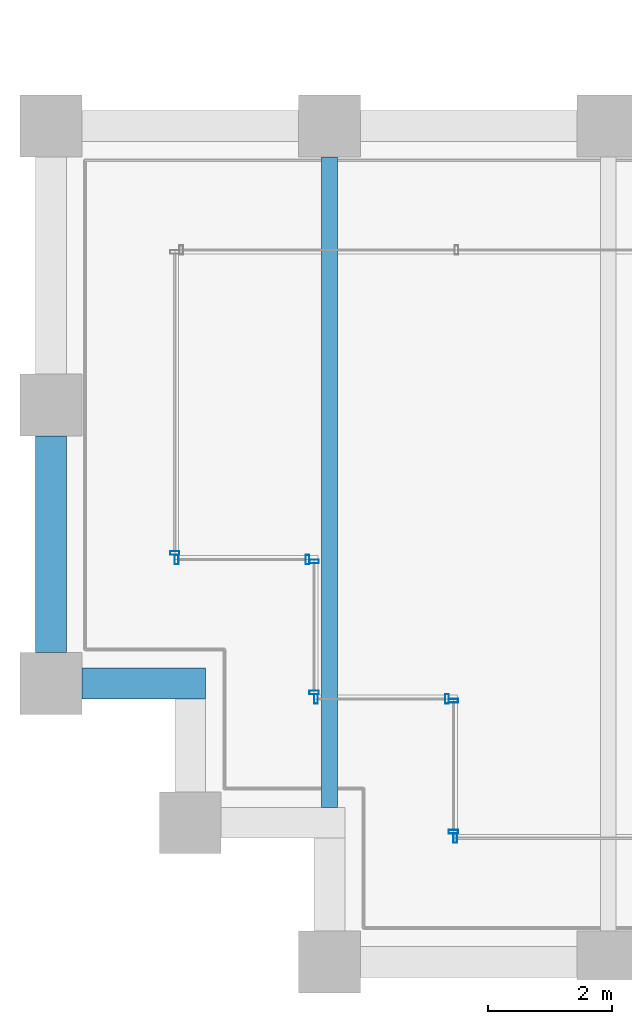
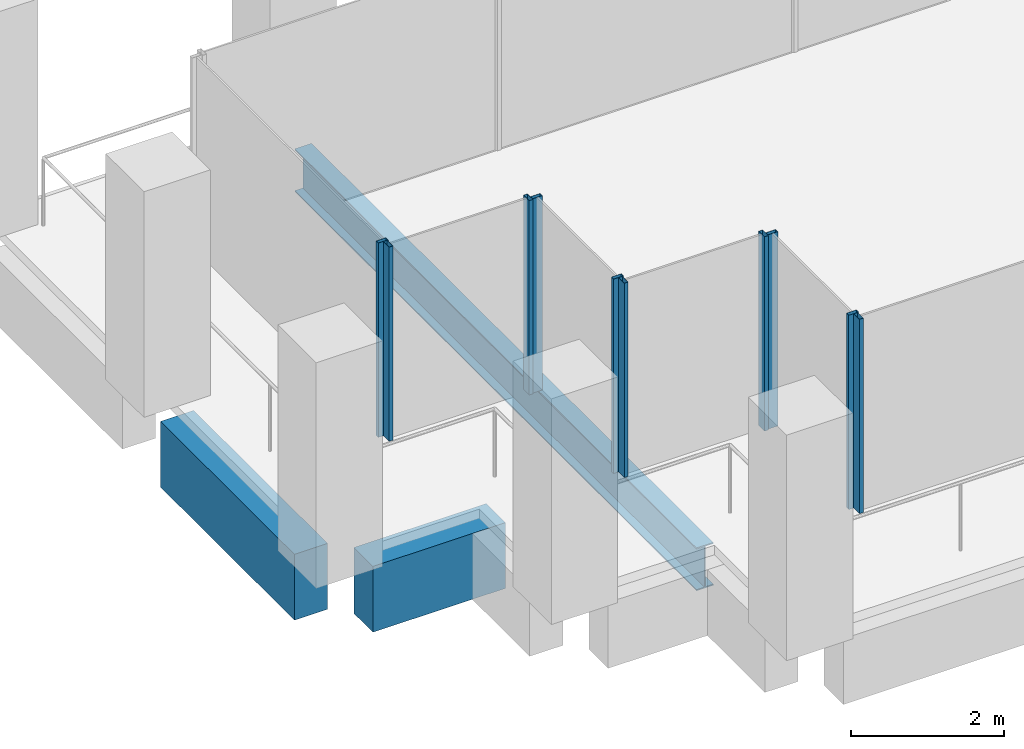
# One storey, part 2 of 46: 10 members, 3 beams, 6 elements without a shape of their own.
"""IFC4 building model written with IfcOpenShell, lengths in metres."""

import ifcopenshell
import ifcopenshell.guid

model = None  # the IFC model being written
_history = None  # IfcOwnerHistory: only IFC2X3 demands one
_inside = {}  # id of a spatial element -> (the spatial element, [elements in it])
_under = {}  # id of a project, library or spatial element -> (it, [spatial elements below it])
_declared = {}  # id of a project -> (the project, [libraries it declares])
_typed = {}  # id of a type object -> (the type object, [elements of that type])
_made_of = {}  # id of a material, layer set ... -> (it, [elements and type objects made of it])


def new_model(schema):
    """Start an empty IFC model of exactly this schema.

    Asked for "IFC4X3", IfcOpenShell would pick the latest addendum, in which some entities
    have other attributes; the version numbers below select the first issue.
    IFC2X3 requires an IfcOwnerHistory on every rooted entity: one is made here for all.
    """
    global model, _history
    if schema == "IFC4X3":
        model = ifcopenshell.file(schema_version=(4, 3, 0, 0))
    else:
        model = ifcopenshell.file(schema=schema)
    _inside.clear()
    _under.clear()
    _declared.clear()
    _typed.clear()
    _made_of.clear()
    _history = None
    if model.schema == "IFC2X3":
        org = make("IfcOrganization", Name="unknown")
        user = make(
            "IfcPersonAndOrganization",
            ThePerson=make("IfcPerson", FamilyName="unknown"),
            TheOrganization=org,
        )
        app = make(
            "IfcApplication",
            ApplicationDeveloper=org,
            Version="unknown",
            ApplicationFullName="unknown",
            ApplicationIdentifier="unknown",
        )
        _history = make(
            "IfcOwnerHistory",
            OwningUser=user,
            OwningApplication=app,
            ChangeAction="ADDED",
            CreationDate=0,
        )
    return model


def make(cls, **values):
    """One entity of the class cls with the attributes given. An attribute that is None is left unset."""
    return model.create_entity(
        cls, **{name: value for name, value in values.items() if value is not None}
    )


def rooted(cls, **values):
    """An entity with a GlobalId (a new one), such as an element, a storey or a relation."""
    return make(cls, GlobalId=ifcopenshell.guid.new(), OwnerHistory=_history, **values)


def si_unit(unit_type, name, prefix=None):
    """IfcSIUnit, for example si_unit("LENGTHUNIT", "METRE", prefix="MILLI")."""
    return make("IfcSIUnit", UnitType=unit_type, Prefix=prefix, Name=name)


def assignment(units):
    """IfcUnitAssignment: the units of a project."""
    return None if units is None else make("IfcUnitAssignment", Units=units)


def point(xyz):
    """IfcCartesianPoint."""
    return None if xyz is None else make("IfcCartesianPoint", Coordinates=xyz)


def direction(xyz):
    """IfcDirection."""
    return None if xyz is None else make("IfcDirection", DirectionRatios=xyz)


def frame(location, z_axis=None, x_axis=None):
    """IfcAxis2Placement3D, a coordinate frame: its origin and axes. An axis left out is left unset."""
    return make(
        "IfcAxis2Placement3D",
        Location=point(location),
        Axis=direction(z_axis),
        RefDirection=direction(x_axis),
    )


def frame_2d(location, x_axis=None):
    """IfcAxis2Placement2D, a coordinate frame in the plane: its origin and x axis."""
    return make(
        "IfcAxis2Placement2D", Location=point(location), RefDirection=direction(x_axis)
    )


def origin():
    """The frame at (0, 0, 0) with its axes left unset."""
    return frame((0.0, 0.0, 0.0))


def origin_2d():
    """The frame at (0, 0) in the plane with its x axis left unset."""
    return frame_2d((0.0, 0.0))


def place(relative_to, where):
    """IfcLocalPlacement: puts the frame where relative to a parent placement (None: the world)."""
    return make(
        "IfcLocalPlacement", PlacementRelTo=relative_to, RelativePlacement=where
    )


def context(
    kind, dimensions, precision=None, world=None, true_north=None, identifier=None
):
    """IfcGeometricRepresentationContext, for example the 3D "Model" context."""
    return make(
        "IfcGeometricRepresentationContext",
        ContextIdentifier=identifier,
        ContextType=kind,
        CoordinateSpaceDimension=dimensions,
        Precision=precision,
        WorldCoordinateSystem=world,
        TrueNorth=true_north,
    )


def subcontext(parent, identifier, kind, view, scale=None):
    """IfcGeometricRepresentationSubContext, for example "Body" below "Model"."""
    return make(
        "IfcGeometricRepresentationSubContext",
        ContextIdentifier=identifier,
        ContextType=kind,
        ParentContext=parent,
        TargetScale=scale,
        TargetView=view,
    )


def project(units=None, contexts=None):
    """IfcProject with its units and contexts."""
    return rooted(
        "IfcProject",
        Name="project",
        RepresentationContexts=contexts,
        UnitsInContext=assignment(units),
    )


def spatial(cls, under=None, at=None, **own):
    """A site, building, storey or space (cls), placed at a placement, below another one or the project."""
    s = rooted(cls, ObjectPlacement=at, **own)
    if under is not None:
        _under.setdefault(under.id(), (under, []))[1].append(s)
    return s


def profile(cls, at=None, kind="AREA", **sizes):
    """A parametric profile (cls). Its sizes go by their IFC names, for example OverallWidth=200.0."""
    return make(cls, ProfileType=kind, Position=at, **sizes)


def rectangle(**sizes):
    """IfcRectangleProfileDef."""
    return profile("IfcRectangleProfileDef", **sizes)


def hollow_rectangle(**sizes):
    """IfcRectangleHollowProfileDef."""
    return profile("IfcRectangleHollowProfileDef", **sizes)


def i_section(**sizes):
    """IfcIShapeProfileDef."""
    return profile("IfcIShapeProfileDef", **sizes)


def extrude(swept, where, along, depth):
    """IfcExtrudedAreaSolid: the profile swept, set in the frame where, extruded along a direction by depth."""
    return make(
        "IfcExtrudedAreaSolid",
        SweptArea=swept,
        Position=where,
        ExtrudedDirection=direction(along),
        Depth=depth,
    )


def shape(context_of_items, identifier, shape_type, items):
    """IfcShapeRepresentation: the items that make up one representation, for example the "Body"."""
    return make(
        "IfcShapeRepresentation",
        ContextOfItems=context_of_items,
        RepresentationIdentifier=identifier,
        RepresentationType=shape_type,
        Items=items,
    )


def material(Name=None, Category=None):
    """IfcMaterial."""
    return make("IfcMaterial", Name=Name, Category=Category)


def material_profile(
    of_material, cross_section, Name=None, Category=None, Priority=None
):
    """IfcMaterialProfile: a cross section and its material."""
    return make(
        "IfcMaterialProfile",
        Name=Name,
        Material=of_material,
        Profile=cross_section,
        Priority=Priority,
        Category=Category,
    )


def profile_set(profiles, Name=None, composite=None):
    """IfcMaterialProfileSet."""
    return make(
        "IfcMaterialProfileSet",
        Name=Name,
        MaterialProfiles=profiles,
        CompositeProfile=composite,
    )


def made_of(thing, what):
    """Note that an element or type object is made of a material, layer set ...; save() writes the relation."""
    if what is not None:
        _made_of.setdefault(what.id(), (what, []))[1].append(thing)
    return thing


def type_object(cls, material=None, **own):
    """A type object (cls), such as IfcWallType, which elements share."""
    return made_of(rooted(cls, **own), material)


def element(
    cls,
    number,
    at=None,
    inside=None,
    cuts=None,
    type_object=None,
    material=None,
    context=None,
    identifier="Body",
    shape_type=None,
    held_by="IfcProductDefinitionShape",
    body=None,
    shapes=None,
    **own,
):
    """One element of the class cls, such as IfcWall. Its Tag is "e" and its number.

    at: its placement. inside: the storey or other place that contains it. cuts: it is an
    opening in that element (IfcRelVoidsElement). A single representation is given by context,
    identifier, shape_type and body (its items); several are given by shapes. held_by: the class
    of the entity that holds the representations. save() writes the other relations.
    """
    e = rooted(cls, Tag="e%d" % number, ObjectPlacement=at, **own)
    if body is not None:
        shapes = [shape(context, identifier, shape_type, body)]
    if shapes is not None:
        e.Representation = make(held_by, Representations=shapes)
    if inside is not None:
        _inside.setdefault(inside.id(), (inside, []))[1].append(e)
    if cuts is not None:
        rooted(
            "IfcRelVoidsElement", RelatingBuildingElement=cuts, RelatedOpeningElement=e
        )
    if type_object is not None:
        _typed.setdefault(type_object.id(), (type_object, []))[1].append(e)
    return made_of(e, material)


def aggregate(whole, parts):
    """IfcRelAggregates: a whole, such as a stair, and the parts it consists of."""
    return rooted("IfcRelAggregates", RelatingObject=whole, RelatedObjects=parts)


def save(model, path):
    """Write the relations noted so far, then the file.

    IfcRelAggregates (storeys below a building ...), IfcRelContainedInSpatialStructure (elements
    in a storey), IfcRelDefinesByType, IfcRelAssociatesMaterial and IfcRelDeclares: one each for
    every whole, place, type object, material and project.
    """
    for whole, parts in _under.values():
        aggregate(whole, parts)
    for where, things in _inside.values():
        rooted(
            "IfcRelContainedInSpatialStructure",
            RelatedElements=things,
            RelatingStructure=where,
        )
    for kind, things in _typed.values():
        rooted("IfcRelDefinesByType", RelatedObjects=things, RelatingType=kind)
    for what, things in _made_of.values():
        rooted("IfcRelAssociatesMaterial", RelatedObjects=things, RelatingMaterial=what)
    for by, libraries in _declared.values():
        rooted("IfcRelDeclares", RelatingContext=by, RelatedDefinitions=libraries)
    model.write(path)


model = new_model("IFC4")

# Units and contexts
model_context = context("Model", 3, precision=1e-05, world=origin(), true_north=direction((0.0, 1.0)))
body_context = subcontext(model_context, "Body", "Model", "MODEL_VIEW")
ifc_project = project(units=[si_unit("LENGTHUNIT", "METRE"), si_unit("AREAUNIT", "SQUARE_METRE"), si_unit("VOLUMEUNIT", "CUBIC_METRE"), si_unit("PLANEANGLEUNIT", "RADIAN"), si_unit("MASSUNIT", "GRAM", prefix="KILO")], contexts=[model_context])

# Site, building, storey
site_placement = place(None, origin())
site = spatial("IfcSite", under=ifc_project, at=site_placement, CompositionType="ELEMENT")
building_placement = place(site_placement, origin())
building = spatial("IfcBuilding", under=site, at=building_placement, Name="Altepetl Exchange Towers", CompositionType="ELEMENT")
storey_placement = place(building_placement, frame((0.0, 0.0, 102.800048828125)))
storey = spatial("IfcBuildingStorey", under=building, at=storey_placement, Name="L25", CompositionType="ELEMENT", Elevation=102.800048828125)

# Beam
ifc_material_1 = material(Name="Steel S355", Category="steel")
ifc_material_profile_1 = material_profile(ifc_material_1, i_section(OverallWidth=0.25390625, OverallDepth=0.68408203125, WebThickness=0.012451171875, FlangeThickness=0.018798828125, at=origin_2d()), Name="W27X94")
ifc_profile_set_1 = profile_set([ifc_material_profile_1], Name="Steel S355")
beam_type_1 = type_object("IfcBeamType", Name="Floor beam W27X94", PredefinedType="BEAM", material=ifc_profile_set_1)
beam_1_placement = place(storey_placement, frame((31.5, 29.5, -0.491943359375), z_axis=(0.0, 1.0, 0.0), x_axis=(-1.0, 0.0, 0.0)))
element("IfcBeam", 1, at=beam_1_placement, inside=storey, type_object=beam_type_1, Name="bm:A:L25:012", PredefinedType="BEAM", context=body_context, shape_type="SweptSolid", body=[
    extrude(i_section(OverallWidth=0.25390625, OverallDepth=0.68408203125, WebThickness=0.012451171875, FlangeThickness=0.018798828125, at=origin_2d()), origin(), (0.0, 0.0, 1.0), 10.5),
])

# Curtain wall, member
ifc_material_2 = material(Name="Aluminium 6063-T6 glazing", Category="aluminium")
curtain_wall_type = type_object("IfcCurtainWallType", Name="Loggia glazing system", PredefinedType="NOTDEFINED", material=ifc_material_2)
curtain_wall_1_placement = place(storey_placement, origin())
curtain_wall_1 = element("IfcCurtainWall", 2, at=curtain_wall_1_placement, inside=storey, type_object=curtain_wall_type, Name="CW1 run", PredefinedType="NOTDEFINED")
ifc_material_3 = material(Name="Aluminium 6063-T6", Category="aluminium")
ifc_material_profile_2 = material_profile(ifc_material_3, hollow_rectangle(XDim=0.06005859375, YDim=0.14990234375, WallThickness=0.0029296875, at=origin_2d()), Name="Mullion 60x150 aluminium")
ifc_profile_set_2 = profile_set([ifc_material_profile_2], Name="Aluminium 6063-T6")
member_type = type_object("IfcMemberType", Name="Mullion 60x150 aluminium", PredefinedType="MULLION", material=ifc_profile_set_2)
member_1_placement = place(storey_placement, frame((29.0, 33.60498046875, 0.0), z_axis=(0.0, 0.0, 1.0), x_axis=(0.0, -1.0, 0.0)))
member_1 = element("IfcMember", 3, at=member_1_placement, type_object=member_type, Name="MU1 mullion", PredefinedType="MULLION", context=body_context, shape_type="SweptSolid", body=[
    extrude(hollow_rectangle(XDim=0.06005859375, YDim=0.14990234375, WallThickness=0.0029296875, at=origin_2d()), origin(), (0.0, 0.0, 1.0), 3.099853515625),
])
aggregate(curtain_wall_1, [member_1])

# Curtain wall, members
curtain_wall_2_placement = place(storey_placement, origin())
curtain_wall_2 = element("IfcCurtainWall", 4, at=curtain_wall_2_placement, inside=storey, type_object=curtain_wall_type, Name="CW1 run", PredefinedType="NOTDEFINED")
member_2_placement = place(storey_placement, frame((29.030029296875, 33.5, 0.0)))
member_2 = element("IfcMember", 5, at=member_2_placement, type_object=member_type, Name="MU1 mullion", PredefinedType="MULLION", context=body_context, shape_type="SweptSolid", body=[
    extrude(hollow_rectangle(XDim=0.06005859375, YDim=0.14990234375, WallThickness=0.0029296875, at=origin_2d()), origin(), (0.0, 0.0, 1.0), 3.099853515625),
])
member_3_placement = place(storey_placement, frame((31.14501953125, 33.5, 0.0)))
member_3 = element("IfcMember", 6, at=member_3_placement, type_object=member_type, Name="MU1 mullion", PredefinedType="MULLION", context=body_context, shape_type="SweptSolid", body=[
    extrude(hollow_rectangle(XDim=0.06005859375, YDim=0.14990234375, WallThickness=0.0029296875, at=origin_2d()), origin(), (0.0, 0.0, 1.0), 3.099853515625),
])
aggregate(curtain_wall_2, [member_2, member_3])

curtain_wall_3_placement = place(storey_placement, origin())
curtain_wall_3 = element("IfcCurtainWall", 7, at=curtain_wall_3_placement, inside=storey, type_object=curtain_wall_type, Name="CW1 run", PredefinedType="NOTDEFINED")
member_4_placement = place(storey_placement, frame((31.25, 33.469970703125, 0.0), z_axis=(0.0, 0.0, 1.0), x_axis=(0.0, -1.0, 0.0)))
member_4 = element("IfcMember", 8, at=member_4_placement, type_object=member_type, Name="MU1 mullion", PredefinedType="MULLION", context=body_context, shape_type="SweptSolid", body=[
    extrude(hollow_rectangle(XDim=0.06005859375, YDim=0.14990234375, WallThickness=0.0029296875, at=origin_2d()), origin(), (0.0, 0.0, 1.0), 3.099853515625),
])
member_5_placement = place(storey_placement, frame((31.25, 31.35498046875, 0.0), z_axis=(0.0, 0.0, 1.0), x_axis=(0.0, -1.0, 0.0)))
member_5 = element("IfcMember", 9, at=member_5_placement, type_object=member_type, Name="MU1 mullion", PredefinedType="MULLION", context=body_context, shape_type="SweptSolid", body=[
    extrude(hollow_rectangle(XDim=0.06005859375, YDim=0.14990234375, WallThickness=0.0029296875, at=origin_2d()), origin(), (0.0, 0.0, 1.0), 3.099853515625),
])
aggregate(curtain_wall_3, [member_4, member_5])

curtain_wall_4_placement = place(storey_placement, origin())
curtain_wall_4 = element("IfcCurtainWall", 10, at=curtain_wall_4_placement, inside=storey, type_object=curtain_wall_type, Name="CW1 run", PredefinedType="NOTDEFINED")
member_6_placement = place(storey_placement, frame((31.280029296875, 31.25, 0.0)))
member_6 = element("IfcMember", 11, at=member_6_placement, type_object=member_type, Name="MU1 mullion", PredefinedType="MULLION", context=body_context, shape_type="SweptSolid", body=[
    extrude(hollow_rectangle(XDim=0.06005859375, YDim=0.14990234375, WallThickness=0.0029296875, at=origin_2d()), origin(), (0.0, 0.0, 1.0), 3.099853515625),
])
member_7_placement = place(storey_placement, frame((33.39501953125, 31.25, 0.0)))
member_7 = element("IfcMember", 12, at=member_7_placement, type_object=member_type, Name="MU1 mullion", PredefinedType="MULLION", context=body_context, shape_type="SweptSolid", body=[
    extrude(hollow_rectangle(XDim=0.06005859375, YDim=0.14990234375, WallThickness=0.0029296875, at=origin_2d()), origin(), (0.0, 0.0, 1.0), 3.099853515625),
])
aggregate(curtain_wall_4, [member_6, member_7])

curtain_wall_5_placement = place(storey_placement, origin())
curtain_wall_5 = element("IfcCurtainWall", 13, at=curtain_wall_5_placement, inside=storey, type_object=curtain_wall_type, Name="CW1 run", PredefinedType="NOTDEFINED")
member_8_placement = place(storey_placement, frame((33.5, 31.219970703125, 0.0), z_axis=(0.0, 0.0, 1.0), x_axis=(0.0, -1.0, 0.0)))
member_8 = element("IfcMember", 14, at=member_8_placement, type_object=member_type, Name="MU1 mullion", PredefinedType="MULLION", context=body_context, shape_type="SweptSolid", body=[
    extrude(hollow_rectangle(XDim=0.06005859375, YDim=0.14990234375, WallThickness=0.0029296875, at=origin_2d()), origin(), (0.0, 0.0, 1.0), 3.099853515625),
])
member_9_placement = place(storey_placement, frame((33.5, 29.10498046875, 0.0), z_axis=(0.0, 0.0, 1.0), x_axis=(0.0, -1.0, 0.0)))
member_9 = element("IfcMember", 15, at=member_9_placement, type_object=member_type, Name="MU1 mullion", PredefinedType="MULLION", context=body_context, shape_type="SweptSolid", body=[
    extrude(hollow_rectangle(XDim=0.06005859375, YDim=0.14990234375, WallThickness=0.0029296875, at=origin_2d()), origin(), (0.0, 0.0, 1.0), 3.099853515625),
])
aggregate(curtain_wall_5, [member_8, member_9])

# Curtain wall, member
curtain_wall_6_placement = place(storey_placement, origin())
curtain_wall_6 = element("IfcCurtainWall", 16, at=curtain_wall_6_placement, inside=storey, type_object=curtain_wall_type, Name="CW1 run", PredefinedType="NOTDEFINED")
member_10_placement = place(storey_placement, frame((33.530029296875, 29.0, 0.0)))
member_10 = element("IfcMember", 17, at=member_10_placement, type_object=member_type, Name="MU1 mullion", PredefinedType="MULLION", context=body_context, shape_type="SweptSolid", body=[
    extrude(hollow_rectangle(XDim=0.06005859375, YDim=0.14990234375, WallThickness=0.0029296875, at=origin_2d()), origin(), (0.0, 0.0, 1.0), 3.099853515625),
])
aggregate(curtain_wall_6, [member_10])

# Beams
ifc_material_4 = material(Name="Concrete C50/60 precast with cantera blanca facing", Category="concrete")
ifc_material_profile_3 = material_profile(ifc_material_4, rectangle(XDim=0.5, YDim=1.050048828125, at=origin_2d()), Name="500 x 1050")
ifc_profile_set_3 = profile_set([ifc_material_profile_3], Name="Concrete C50/60 precast with cantera blanca facing")
beam_type_2 = type_object("IfcBeamType", Name="Spandrel beam 500x1050 cantera blanca", PredefinedType="SPANDREL", material=ifc_profile_set_3)
beam_2_placement = place(storey_placement, frame((27.0, 35.5, -0.675048828125), z_axis=(0.0, -1.0, 0.0), x_axis=(1.0, 0.0, 0.0)))
element("IfcBeam", 18, at=beam_2_placement, inside=storey, type_object=beam_type_2, Name="sp:A:L25:037", PredefinedType="SPANDREL", context=body_context, shape_type="SweptSolid", body=[
    extrude(rectangle(XDim=0.5, YDim=1.050048828125, at=origin_2d()), origin(), (0.0, 0.0, 1.0), 3.5),
])
beam_3_placement = place(storey_placement, frame((27.5, 31.5, -0.675048828125), z_axis=(1.0, 0.0, 0.0), x_axis=(0.0, 1.0, 0.0)))
element("IfcBeam", 19, at=beam_3_placement, inside=storey, type_object=beam_type_2, Name="sp:A:L25:038", PredefinedType="SPANDREL", context=body_context, shape_type="SweptSolid", body=[
    extrude(rectangle(XDim=0.5, YDim=1.050048828125, at=origin_2d()), origin(), (0.0, 0.0, 1.0), 2.0),
])

save(model, "model.ifc")
